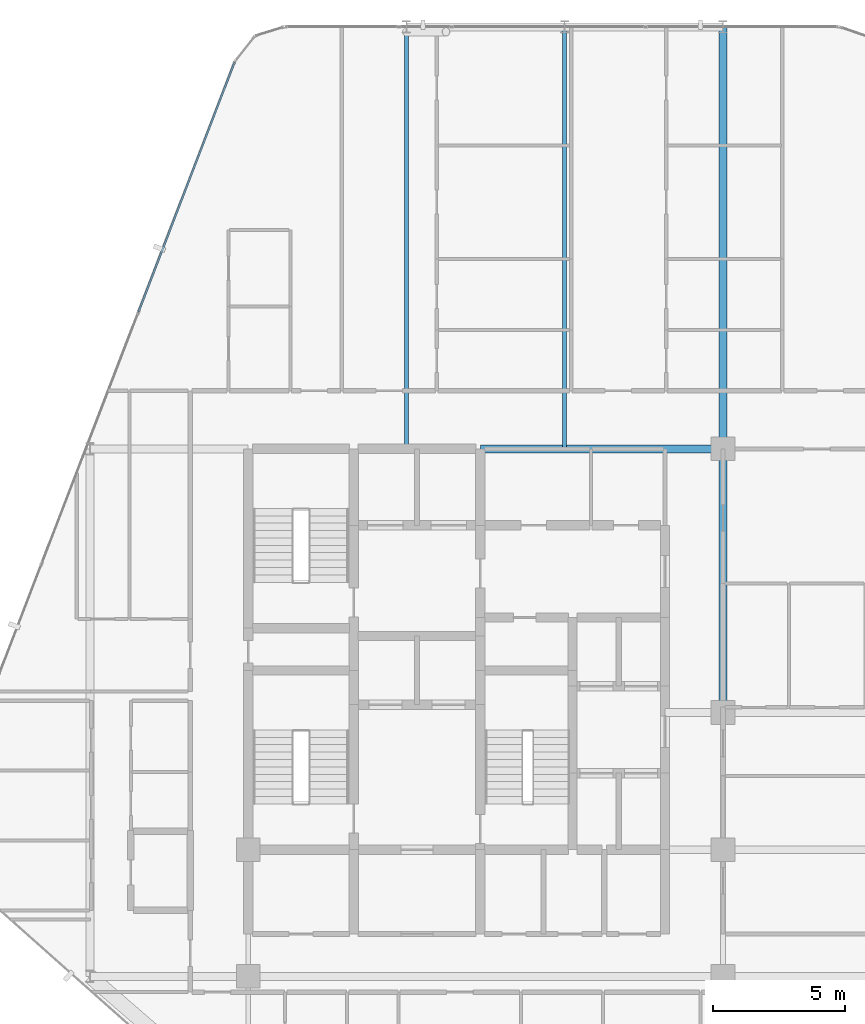
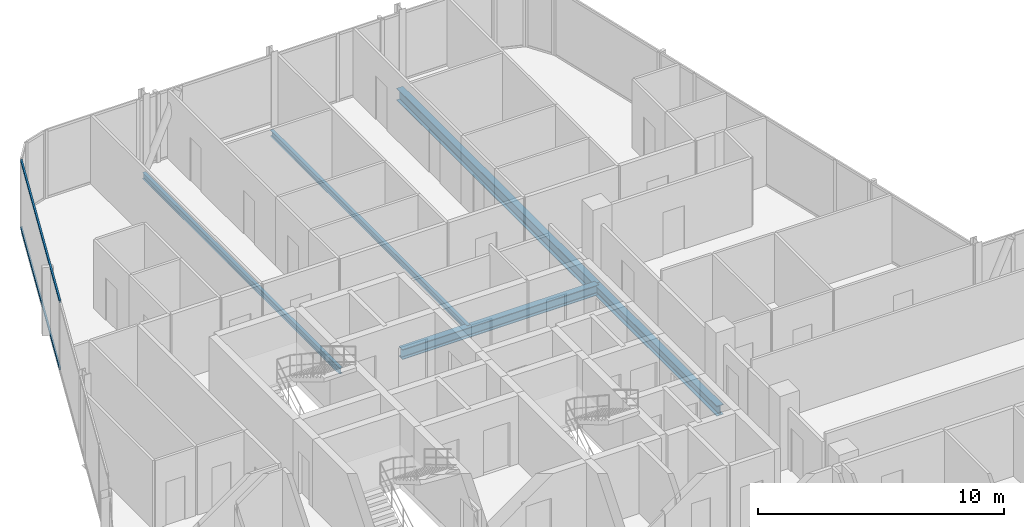
# One storey, part 17 of 29: 5 beams, 2 members, 1 element without a shape of its own.
"""IFC4 building model written with IfcOpenShell, lengths in metres."""

from ifc_helpers import new_model, si_unit, direction, frame, origin, origin_2d, place, context, subcontext, project, spatial, hollow_rectangle, i_section, extrude, material, layer, layer_set, material_profile, profile_set, type_object, element, aggregate, save


model = new_model("IFC4")

# Units and contexts
model_context = context("Model", 3, precision=1e-05, world=origin(), true_north=direction((0.0, 1.0)))
body_context = subcontext(model_context, "Body", "Model", "MODEL_VIEW")
ifc_project = project(units=[si_unit("LENGTHUNIT", "METRE"), si_unit("AREAUNIT", "SQUARE_METRE"), si_unit("VOLUMEUNIT", "CUBIC_METRE"), si_unit("PLANEANGLEUNIT", "RADIAN"), si_unit("MASSUNIT", "GRAM", prefix="KILO")], contexts=[model_context])

# Site, building, storey
site_placement = place(None, origin())
site = spatial("IfcSite", under=ifc_project, at=site_placement, CompositionType="ELEMENT")
building_placement = place(site_placement, origin())
building = spatial("IfcBuilding", under=site, at=building_placement, Name="Keshet Zoharim Tower", CompositionType="ELEMENT")
storey_placement = place(building_placement, frame((0.0, 0.0, 172.800048828125)))
storey = spatial("IfcBuildingStorey", under=building, at=storey_placement, Name="L42", CompositionType="ELEMENT", Elevation=172.800048828125)

# Beams
ifc_material_1 = material(Name="Steel S355", Category="steel")
ifc_material_profile_1 = material_profile(ifc_material_1, i_section(OverallWidth=0.14990234375, OverallDepth=0.300048828125, WebThickness=0.007080078125, FlangeThickness=0.0107421875, FilletRadius=0.014892578125, at=origin_2d()), Name="IPE300")
ifc_profile_set_1 = profile_set([ifc_material_profile_1], Name="Steel S355")
beam_type_1 = type_object("IfcBeamType", Name="BM-JST-IP300", PredefinedType="JOIST", material=ifc_profile_set_1)
for number, where, z_axis, x_axis, name in (
    (1, (21.0, 37.89990234375, -0.4599609375), (0.0, 1.0, 0.0), (-1.0, 0.0, 0.0), "L42 Secondary Floor Joist J-001"),
    (2, (27.0, 37.89990234375, -0.4599609375), (0.0, 1.0, 0.0), (-1.0, 0.0, 0.0), "L42 Secondary Floor Joist J-002"),
):
    element("IfcBeam", number, at=place(storey_placement, frame(where, z_axis=z_axis, x_axis=x_axis)), inside=storey, type_object=beam_type_1, Name=name, PredefinedType="JOIST", context=body_context, shape_type="SweptSolid", body=[
        extrude(i_section(OverallWidth=0.14990234375, OverallDepth=0.300048828125, WebThickness=0.007080078125, FlangeThickness=0.0107421875, FilletRadius=0.014892578125, at=origin_2d()), origin(), (0.0, 0.0, 1.0), 16.0),
    ])
ifc_material_profile_2 = material_profile(ifc_material_1, i_section(OverallWidth=0.300048828125, OverallDepth=0.60009765625, WebThickness=0.015380859375, FlangeThickness=0.030029296875, FilletRadius=0.027099609375, at=origin_2d()), Name="HEB600")
ifc_profile_set_2 = profile_set([ifc_material_profile_2], Name="Steel S355")
beam_type_2 = type_object("IfcBeamType", Name="BM-LNG-HB600", PredefinedType="BEAM", material=ifc_profile_set_2)
beam_1_placement = place(storey_placement, frame((33.0, 37.89990234375, -0.610107421875), z_axis=(0.0, 1.0, 0.0), x_axis=(-1.0, 0.0, 0.0)))
element("IfcBeam", 3, at=beam_1_placement, inside=storey, type_object=beam_type_2, Name="L42 Primary Girder Y-011", PredefinedType="BEAM", context=body_context, shape_type="SweptSolid", body=[
    extrude(i_section(OverallWidth=0.300048828125, OverallDepth=0.60009765625, WebThickness=0.015380859375, FlangeThickness=0.030029296875, FilletRadius=0.027099609375, at=origin_2d()), origin(), (0.0, 0.0, 1.0), 16.0),
])
ifc_material_profile_3 = material_profile(ifc_material_1, i_section(OverallWidth=0.300048828125, OverallDepth=0.5, WebThickness=0.014404296875, FlangeThickness=0.028076171875, FilletRadius=0.027099609375, at=origin_2d()), Name="HEB500")
ifc_profile_set_3 = profile_set([ifc_material_profile_3], Name="Steel S355")
beam_type_3 = type_object("IfcBeamType", Name="BM-MED-HB500", PredefinedType="BEAM", material=ifc_profile_set_3)
beam_2_placement = place(storey_placement, frame((23.800048828125, 37.89990234375, -0.56005859375), z_axis=(1.0, 0.0, 0.0), x_axis=(0.0, 1.0, 0.0)))
element("IfcBeam", 4, at=beam_2_placement, inside=storey, type_object=beam_type_3, Name="L42 Primary Girder X-018", PredefinedType="BEAM", context=body_context, shape_type="SweptSolid", body=[
    extrude(i_section(OverallWidth=0.300048828125, OverallDepth=0.5, WebThickness=0.014404296875, FlangeThickness=0.028076171875, FilletRadius=0.027099609375, at=origin_2d()), origin(), (0.0, 0.0, 1.0), 9.199951171875),
])
beam_3_placement = place(storey_placement, frame((33.0, 27.89990234375, -0.56005859375), z_axis=(0.0, 1.0, 0.0), x_axis=(-1.0, 0.0, 0.0)))
element("IfcBeam", 5, at=beam_3_placement, inside=storey, type_object=beam_type_3, Name="L42 Primary Girder Y-010", PredefinedType="BEAM", context=body_context, shape_type="SweptSolid", body=[
    extrude(i_section(OverallWidth=0.300048828125, OverallDepth=0.5, WebThickness=0.014404296875, FlangeThickness=0.028076171875, FilletRadius=0.027099609375, at=origin_2d()), origin(), (0.0, 0.0, 1.0), 10.0),
])

# Curtain wall, members
ifc_material_2 = material(Name="Aluminium 6063-T6", Category="aluminium")
ifc_layer = layer(ifc_material_2, 0.139892578125)
ifc_layer_set = layer_set([ifc_layer], Name="Aluminium 6063-T6")
curtain_wall_type = type_object("IfcCurtainWallType", Name="CW-SYS-05", PredefinedType="NOTDEFINED", material=ifc_layer_set)
curtain_wall_placement = place(storey_placement, origin())
curtain_wall = element("IfcCurtainWall", 6, at=curtain_wall_placement, inside=storey, type_object=curtain_wall_type, Name="L42 Unitised Curtain Wall 13", PredefinedType="NOTDEFINED")
ifc_material_profile_4 = material_profile(ifc_material_2, hollow_rectangle(XDim=0.074951171875, YDim=0.1201171875, WallThickness=0.00390625, at=origin_2d()), Name="TRN-75x120")
ifc_profile_set_4 = profile_set([ifc_material_profile_4], Name="Aluminium 6063-T6")
member_type = type_object("IfcMemberType", Name="CWT-T12", PredefinedType="USERDEFINED", material=ifc_profile_set_4)
member_1_placement = place(storey_placement, frame((10.849609375, 43.10888671875, 0.034912109375), z_axis=(0.358985546764, 0.933343118694, 0.0), x_axis=(-0.933343118694, 0.358985546764, 0.0)))
member_1 = element("IfcMember", 7, at=member_1_placement, type_object=member_type, Name="CW-05 transom 3.1", ObjectType="TRANSOM", PredefinedType="USERDEFINED", context=body_context, shape_type="SweptSolid", body=[
    extrude(hollow_rectangle(XDim=0.074951171875, YDim=0.1201171875, WallThickness=0.00390625, at=origin_2d()), origin(), (0.0, 0.0, 1.0), 10.118408203125),
])
member_2_placement = place(storey_placement, frame((10.849609375, 43.10888671875, 3.35498046875), z_axis=(0.358985546764, 0.933343118694, 0.0), x_axis=(-0.933343118694, 0.358985546764, 0.0)))
member_2 = element("IfcMember", 8, at=member_2_placement, type_object=member_type, Name="CW-05 transom 3.2", ObjectType="TRANSOM", PredefinedType="USERDEFINED", context=body_context, shape_type="SweptSolid", body=[
    extrude(hollow_rectangle(XDim=0.074951171875, YDim=0.1201171875, WallThickness=0.00390625, at=origin_2d()), origin(), (0.0, 0.0, 1.0), 10.118408203125),
])
aggregate(curtain_wall, [member_1, member_2])

save(model, "model.ifc")
